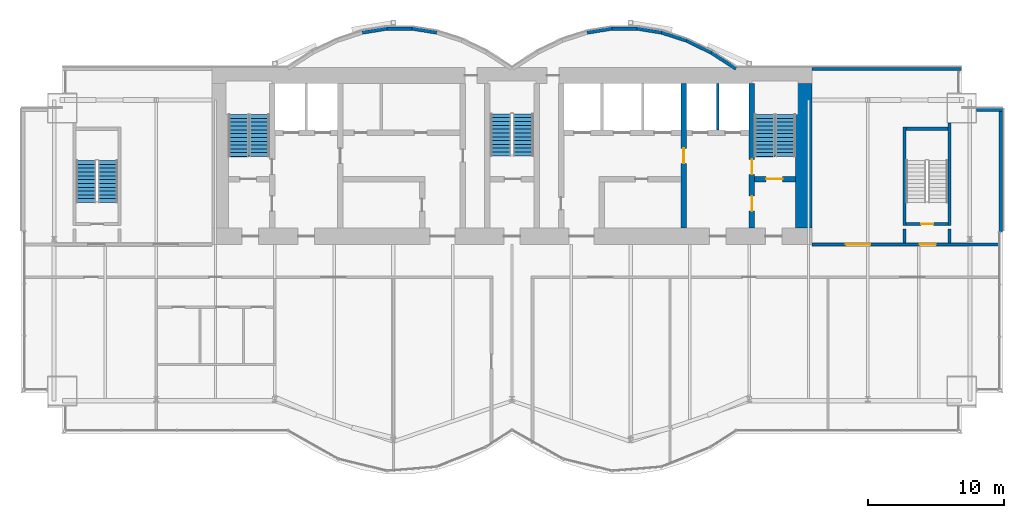
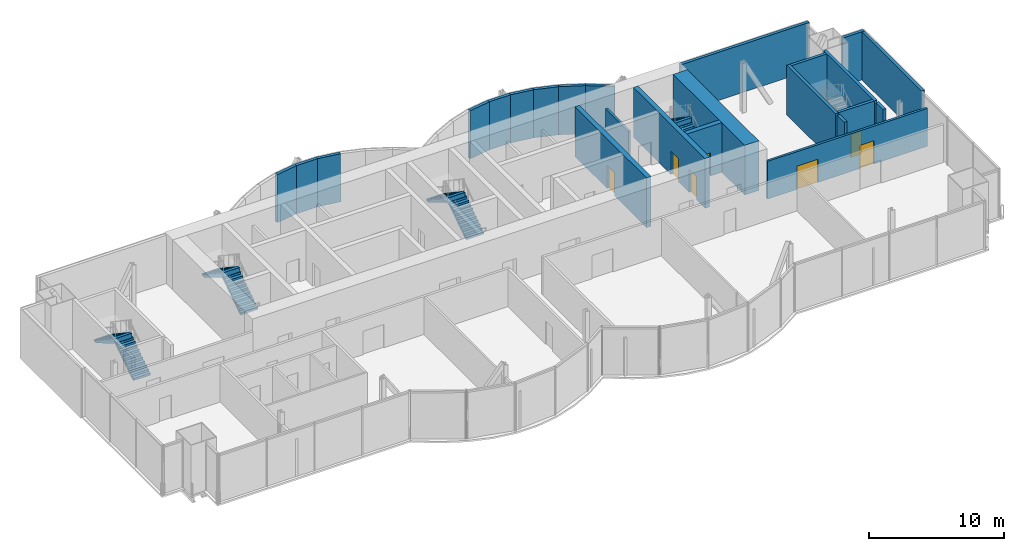
# One storey, part 14 of 18: 24 walls, 8 stair flights, 7 doors, 7 openings, 4 elements without a shape of their own.
"""IFC4 building model written with IfcOpenShell, lengths in metres."""

import ifcopenshell
import ifcopenshell.guid

model = None  # the IFC model being written
_history = None  # IfcOwnerHistory: only IFC2X3 demands one
_inside = {}  # id of a spatial element -> (the spatial element, [elements in it])
_under = {}  # id of a project, library or spatial element -> (it, [spatial elements below it])
_declared = {}  # id of a project -> (the project, [libraries it declares])
_typed = {}  # id of a type object -> (the type object, [elements of that type])
_made_of = {}  # id of a material, layer set ... -> (it, [elements and type objects made of it])


def new_model(schema):
    """Start an empty IFC model of exactly this schema.

    Asked for "IFC4X3", IfcOpenShell would pick the latest addendum, in which some entities
    have other attributes; the version numbers below select the first issue.
    IFC2X3 requires an IfcOwnerHistory on every rooted entity: one is made here for all.
    """
    global model, _history
    if schema == "IFC4X3":
        model = ifcopenshell.file(schema_version=(4, 3, 0, 0))
    else:
        model = ifcopenshell.file(schema=schema)
    _inside.clear()
    _under.clear()
    _declared.clear()
    _typed.clear()
    _made_of.clear()
    _history = None
    if model.schema == "IFC2X3":
        org = make("IfcOrganization", Name="unknown")
        user = make(
            "IfcPersonAndOrganization",
            ThePerson=make("IfcPerson", FamilyName="unknown"),
            TheOrganization=org,
        )
        app = make(
            "IfcApplication",
            ApplicationDeveloper=org,
            Version="unknown",
            ApplicationFullName="unknown",
            ApplicationIdentifier="unknown",
        )
        _history = make(
            "IfcOwnerHistory",
            OwningUser=user,
            OwningApplication=app,
            ChangeAction="ADDED",
            CreationDate=0,
        )
    return model


def make(cls, **values):
    """One entity of the class cls with the attributes given. An attribute that is None is left unset."""
    return model.create_entity(
        cls, **{name: value for name, value in values.items() if value is not None}
    )


def rooted(cls, **values):
    """An entity with a GlobalId (a new one), such as an element, a storey or a relation."""
    return make(cls, GlobalId=ifcopenshell.guid.new(), OwnerHistory=_history, **values)


def si_unit(unit_type, name, prefix=None):
    """IfcSIUnit, for example si_unit("LENGTHUNIT", "METRE", prefix="MILLI")."""
    return make("IfcSIUnit", UnitType=unit_type, Prefix=prefix, Name=name)


def assignment(units):
    """IfcUnitAssignment: the units of a project."""
    return None if units is None else make("IfcUnitAssignment", Units=units)


def point(xyz):
    """IfcCartesianPoint."""
    return None if xyz is None else make("IfcCartesianPoint", Coordinates=xyz)


def direction(xyz):
    """IfcDirection."""
    return None if xyz is None else make("IfcDirection", DirectionRatios=xyz)


def frame(location, z_axis=None, x_axis=None):
    """IfcAxis2Placement3D, a coordinate frame: its origin and axes. An axis left out is left unset."""
    return make(
        "IfcAxis2Placement3D",
        Location=point(location),
        Axis=direction(z_axis),
        RefDirection=direction(x_axis),
    )


def frame_2d(location, x_axis=None):
    """IfcAxis2Placement2D, a coordinate frame in the plane: its origin and x axis."""
    return make(
        "IfcAxis2Placement2D", Location=point(location), RefDirection=direction(x_axis)
    )


def origin():
    """The frame at (0, 0, 0) with its axes left unset."""
    return frame((0.0, 0.0, 0.0))


def place(relative_to, where):
    """IfcLocalPlacement: puts the frame where relative to a parent placement (None: the world)."""
    return make(
        "IfcLocalPlacement", PlacementRelTo=relative_to, RelativePlacement=where
    )


def context(
    kind, dimensions, precision=None, world=None, true_north=None, identifier=None
):
    """IfcGeometricRepresentationContext, for example the 3D "Model" context."""
    return make(
        "IfcGeometricRepresentationContext",
        ContextIdentifier=identifier,
        ContextType=kind,
        CoordinateSpaceDimension=dimensions,
        Precision=precision,
        WorldCoordinateSystem=world,
        TrueNorth=true_north,
    )


def subcontext(parent, identifier, kind, view, scale=None):
    """IfcGeometricRepresentationSubContext, for example "Body" below "Model"."""
    return make(
        "IfcGeometricRepresentationSubContext",
        ContextIdentifier=identifier,
        ContextType=kind,
        ParentContext=parent,
        TargetScale=scale,
        TargetView=view,
    )


def project(units=None, contexts=None):
    """IfcProject with its units and contexts."""
    return rooted(
        "IfcProject",
        Name="project",
        RepresentationContexts=contexts,
        UnitsInContext=assignment(units),
    )


def spatial(cls, under=None, at=None, **own):
    """A site, building, storey or space (cls), placed at a placement, below another one or the project."""
    s = rooted(cls, ObjectPlacement=at, **own)
    if under is not None:
        _under.setdefault(under.id(), (under, []))[1].append(s)
    return s


def polyline(points):
    """IfcPolyline through the points."""
    return make("IfcPolyline", Points=[point(p) for p in points])


def profile(cls, at=None, kind="AREA", **sizes):
    """A parametric profile (cls). Its sizes go by their IFC names, for example OverallWidth=200.0."""
    return make(cls, ProfileType=kind, Position=at, **sizes)


def rectangle(**sizes):
    """IfcRectangleProfileDef."""
    return profile("IfcRectangleProfileDef", **sizes)


def outline(outer, holes=None, kind="AREA"):
    """IfcArbitraryClosedProfileDef: a profile drawn as a closed curve; with holes, ...WithVoids."""
    if holes is None:
        return make("IfcArbitraryClosedProfileDef", ProfileType=kind, OuterCurve=outer)
    return make(
        "IfcArbitraryProfileDefWithVoids",
        ProfileType=kind,
        OuterCurve=outer,
        InnerCurves=holes,
    )


def extrude(swept, where, along, depth):
    """IfcExtrudedAreaSolid: the profile swept, set in the frame where, extruded along a direction by depth."""
    return make(
        "IfcExtrudedAreaSolid",
        SweptArea=swept,
        Position=where,
        ExtrudedDirection=direction(along),
        Depth=depth,
    )


def shape(context_of_items, identifier, shape_type, items):
    """IfcShapeRepresentation: the items that make up one representation, for example the "Body"."""
    return make(
        "IfcShapeRepresentation",
        ContextOfItems=context_of_items,
        RepresentationIdentifier=identifier,
        RepresentationType=shape_type,
        Items=items,
    )


def material(Name=None, Category=None):
    """IfcMaterial."""
    return make("IfcMaterial", Name=Name, Category=Category)


def layer(
    of_material, thickness, ventilated=None, Name=None, Category=None, Priority=None
):
    """IfcMaterialLayer: one layer of a wall or slab, of a material (None: an air gap)."""
    return make(
        "IfcMaterialLayer",
        Material=of_material,
        LayerThickness=thickness,
        IsVentilated=ventilated,
        Name=Name,
        Category=Category,
        Priority=Priority,
    )


def layer_set(layers, Name=None):
    """IfcMaterialLayerSet."""
    return make("IfcMaterialLayerSet", MaterialLayers=layers, LayerSetName=Name)


def layer_usage(for_layer_set, set_direction, sense, offset, extent=None):
    """IfcMaterialLayerSetUsage: how a layer set lies in its element."""
    return make(
        "IfcMaterialLayerSetUsage",
        ForLayerSet=for_layer_set,
        LayerSetDirection=set_direction,
        DirectionSense=sense,
        OffsetFromReferenceLine=offset,
        ReferenceExtent=extent,
    )


def made_of(thing, what):
    """Note that an element or type object is made of a material, layer set ...; save() writes the relation."""
    if what is not None:
        _made_of.setdefault(what.id(), (what, []))[1].append(thing)
    return thing


def type_object(cls, material=None, **own):
    """A type object (cls), such as IfcWallType, which elements share."""
    return made_of(rooted(cls, **own), material)


def element(
    cls,
    number,
    at=None,
    inside=None,
    cuts=None,
    type_object=None,
    material=None,
    context=None,
    identifier="Body",
    shape_type=None,
    held_by="IfcProductDefinitionShape",
    body=None,
    shapes=None,
    **own,
):
    """One element of the class cls, such as IfcWall. Its Tag is "e" and its number.

    at: its placement. inside: the storey or other place that contains it. cuts: it is an
    opening in that element (IfcRelVoidsElement). A single representation is given by context,
    identifier, shape_type and body (its items); several are given by shapes. held_by: the class
    of the entity that holds the representations. save() writes the other relations.
    """
    e = rooted(cls, Tag="e%d" % number, ObjectPlacement=at, **own)
    if body is not None:
        shapes = [shape(context, identifier, shape_type, body)]
    if shapes is not None:
        e.Representation = make(held_by, Representations=shapes)
    if inside is not None:
        _inside.setdefault(inside.id(), (inside, []))[1].append(e)
    if cuts is not None:
        rooted(
            "IfcRelVoidsElement", RelatingBuildingElement=cuts, RelatedOpeningElement=e
        )
    if type_object is not None:
        _typed.setdefault(type_object.id(), (type_object, []))[1].append(e)
    return made_of(e, material)


def fill(opening, filler):
    """IfcRelFillsElement: the door or window that sits in an opening."""
    return rooted(
        "IfcRelFillsElement",
        RelatingOpeningElement=opening,
        RelatedBuildingElement=filler,
    )


def aggregate(whole, parts):
    """IfcRelAggregates: a whole, such as a stair, and the parts it consists of."""
    return rooted("IfcRelAggregates", RelatingObject=whole, RelatedObjects=parts)


def save(model, path):
    """Write the relations noted so far, then the file.

    IfcRelAggregates (storeys below a building ...), IfcRelContainedInSpatialStructure (elements
    in a storey), IfcRelDefinesByType, IfcRelAssociatesMaterial and IfcRelDeclares: one each for
    every whole, place, type object, material and project.
    """
    for whole, parts in _under.values():
        aggregate(whole, parts)
    for where, things in _inside.values():
        rooted(
            "IfcRelContainedInSpatialStructure",
            RelatedElements=things,
            RelatingStructure=where,
        )
    for kind, things in _typed.values():
        rooted("IfcRelDefinesByType", RelatedObjects=things, RelatingType=kind)
    for what, things in _made_of.values():
        rooted("IfcRelAssociatesMaterial", RelatedObjects=things, RelatingMaterial=what)
    for by, libraries in _declared.values():
        rooted("IfcRelDeclares", RelatingContext=by, RelatedDefinitions=libraries)
    model.write(path)


model = new_model("IFC4")

# Units and contexts
model_context = context("Model", 3, precision=1e-05, world=origin(), true_north=direction((0.0, 1.0)))
body_context = subcontext(model_context, "Body", "Model", "MODEL_VIEW")
ifc_project = project(units=[si_unit("LENGTHUNIT", "METRE"), si_unit("AREAUNIT", "SQUARE_METRE"), si_unit("VOLUMEUNIT", "CUBIC_METRE"), si_unit("PLANEANGLEUNIT", "RADIAN"), si_unit("MASSUNIT", "GRAM", prefix="KILO")], contexts=[model_context])

# Site, building, storey
site_placement = place(None, origin())
site = spatial("IfcSite", under=ifc_project, at=site_placement, CompositionType="ELEMENT")
building_placement = place(site_placement, origin())
building = spatial("IfcBuilding", under=site, at=building_placement, Name="Bicima Exchange Tower", CompositionType="ELEMENT")
storey_placement = place(building_placement, frame((0.0, 0.0, 302.0)))
storey = spatial("IfcBuildingStorey", under=building, at=storey_placement, Name="L68", CompositionType="ELEMENT", Elevation=302.0)

# Wall
ifc_material_1 = material(Name="Gypsum board partition")
ifc_layer_1 = layer(ifc_material_1, 0.199951171875)
ifc_layer_set_1 = layer_set([ifc_layer_1], Name="Gypsum board partition")
wall_type_1 = type_object("IfcWallType", Name="Fire-rated gypsum partition 200 EI120", PredefinedType="PARTITIONING", material=ifc_layer_set_1)
wall_1_placement = place(storey_placement, frame((15.10009765625, -4.60009765625, 0.0), z_axis=(0.0, 0.0, 1.0), x_axis=(0.0, 1.0, 0.0)))
element("IfcWall", 1, at=wall_1_placement, inside=storey, type_object=wall_type_1, Name="partition wall 21", PredefinedType="PARTITIONING", context=body_context, shape_type="SweptSolid", body=[
    extrude(rectangle(XDim=3.400146484375, YDim=0.199951171875, at=frame_2d((1.7001953125, 0.0))), origin(), (0.0, 0.0, 1.0), 3.418212890625),
])

# Wall, openings, doors
ifc_layer_2 = layer(ifc_material_1, 0.199951171875)
ifc_layer_set_2 = layer_set([ifc_layer_2], Name="Gypsum board partition")
wall_type_2 = type_object("IfcWallType", Name="Fire-rated gypsum partition 200 EI60", PredefinedType="PARTITIONING", material=ifc_layer_set_2)
wall_2_placement = place(storey_placement, frame((22.0, -13.0, 0.0), z_axis=(0.0, 0.0, 1.0), x_axis=(1.0, 0.0, 0.0)))
wall_2 = element("IfcWall", 2, at=wall_2_placement, inside=storey, type_object=wall_type_2, Name="partition wall 6", PredefinedType="PARTITIONING", context=body_context, shape_type="SweptSolid", body=[
    extrude(rectangle(XDim=13.679931640625, YDim=0.199951171875, at=frame_2d((6.83984375, 0.0))), origin(), (0.0, 0.0, 1.0), 3.418212890625),
])
opening_1_placement = place(wall_2_placement, frame((7.89990234375, 0.0, 0.0)))
opening_1 = element("IfcOpeningElement", 3, at=opening_1_placement, cuts=wall_2, Name="Opening L68-003", PredefinedType="OPENING", context=body_context, shape_type="SweptSolid", body=[
    extrude(rectangle(XDim=1.199951171875, YDim=2.10009765625, at=frame_2d((0.60009765625, 1.050048828125))), frame((0.0, 0.11181640625, 0.0), z_axis=(0.0, -1.0, 0.0), x_axis=(1.0, 0.0, 0.0)), (0.0, 0.0, 1.0), 0.223876953125),
])
opening_2_placement = place(wall_2_placement, frame((2.5, 0.0, 0.0)))
opening_2 = element("IfcOpeningElement", 4, at=opening_2_placement, cuts=wall_2, Name="Opening L68-006", PredefinedType="OPENING", context=body_context, shape_type="SweptSolid", body=[
    extrude(rectangle(XDim=1.800048828125, YDim=2.10009765625, at=frame_2d((0.89990234375, 1.050048828125))), frame((0.0, 0.11181640625, 0.0), z_axis=(0.0, -1.0, 0.0), x_axis=(1.0, 0.0, 0.0)), (0.0, 0.0, 1.0), 0.223876953125),
])
ifc_material_2 = material(Name="Steel fire door leaf", Category="steel")
door_type_1 = type_object("IfcDoorType", Name="Door 1200 swing FD30S", OperationType="SINGLE_SWING_LEFT", PredefinedType="DOOR", material=ifc_material_2)
door_1_placement = place(opening_1_placement, origin())
door_1 = element("IfcDoor", 5, at=door_1_placement, inside=storey, type_object=door_type_1, Name="Door", OperationType="SINGLE_SWING_RIGHT", OverallHeight=2.10009765625, OverallWidth=1.199951171875, PredefinedType="DOOR", context=body_context, shape_type="SweptSolid", body=[
    extrude(rectangle(XDim=1.199951171875, YDim=2.10009765625, at=frame_2d((0.60009765625, 1.050048828125))), frame((0.0, 0.02490234375, 0.0), z_axis=(0.0, -1.0, 0.0), x_axis=(1.0, 0.0, 0.0)), (0.0, 0.0, 1.0), 0.050048828125),
])
fill(opening_1, door_1)
door_type_2 = type_object("IfcDoorType", Name="Door 1800 double swing FD30S", OperationType="DOUBLE_DOOR_SINGLE_SWING", PredefinedType="DOOR", material=ifc_material_2)
door_2_placement = place(opening_2_placement, origin())
door_2 = element("IfcDoor", 6, at=door_2_placement, inside=storey, type_object=door_type_2, Name="Door", OperationType="SINGLE_SWING_LEFT", OverallHeight=2.10009765625, OverallWidth=1.800048828125, PredefinedType="DOOR", context=body_context, shape_type="SweptSolid", body=[
    extrude(rectangle(XDim=1.800048828125, YDim=2.10009765625, at=frame_2d((0.89990234375, 1.050048828125))), frame((0.0, 0.02490234375, 0.0), z_axis=(0.0, -1.0, 0.0), x_axis=(1.0, 0.0, 0.0)), (0.0, 0.0, 1.0), 0.050048828125),
])
fill(opening_2, door_2)

# Walls
ifc_material_3 = material(Name="Concrete C40/50", Category="concrete")
ifc_layer_3 = layer(ifc_material_3, 1.199951171875)
ifc_layer_set_3 = layer_set([ifc_layer_3], Name="Concrete C40/50")
wall_type_3 = type_object("IfcWallType", Name="RC core wall 1200 C40/50", PredefinedType="SHEAR", material=ifc_layer_set_3)
wall_3_placement = place(storey_placement, frame((21.39990234375, -11.800048828125, 0.0), z_axis=(0.0, 0.0, 1.0), x_axis=(0.0, 1.0, 0.0)))
element("IfcWall", 7, at=wall_3_placement, inside=storey, type_object=wall_type_3, Name="Core wall east", PredefinedType="SHEAR", context=body_context, shape_type="SweptSolid", body=[
    extrude(rectangle(XDim=10.60009765625, YDim=1.199951171875, at=frame_2d((5.300048828125, 0.0))), origin(), (0.0, 0.0, 1.0), 4.5),
])
ifc_material_4 = material(Name="Concrete C50/60", Category="concrete")
ifc_layer_4 = layer(ifc_material_4, 0.25)
ifc_layer_set_4 = layer_set([ifc_layer_4], Name="Concrete C50/60")
wall_type_4 = type_object("IfcWallType", Name="RC core wall 250 C50/60", PredefinedType="SHEAR", material=ifc_layer_set_4)
for number, where, z_axis, x_axis, name in (
    (8, (28.800048828125, -12.89990234375, 0.0), (0.0, 0.0, 1.0), (0.0, 1.0, 0.0), "stair wall 24"),
    (9, (32.10009765625, -12.89990234375, 0.0), (0.0, 0.0, 1.0), (0.0, 1.0, 0.0), "stair wall 25"),
):
    element("IfcWall", number, at=place(storey_placement, frame(where, z_axis=z_axis, x_axis=x_axis)), inside=storey, type_object=wall_type_4, Name=name, PredefinedType="SHEAR", context=body_context, shape_type="SweptSolid", body=[
        extrude(rectangle(XDim=1.0498046875, YDim=0.25, at=frame_2d((0.52490234375, 0.0))), origin(), (0.0, 0.0, 1.0), 4.5),
    ])

# Wall, opening, door
ifc_layer_5 = layer(ifc_material_3, 0.39990234375)
ifc_layer_set_5 = layer_set([ifc_layer_5], Name="Concrete C40/50")
wall_type_5 = type_object("IfcWallType", Name="RC core wall 400 C40/50", PredefinedType="SHEAR", material=ifc_layer_set_5)
wall_4_placement = place(storey_placement, frame((12.60009765625, -11.800048828125, 0.0), z_axis=(0.0, 0.0, 1.0), x_axis=(0.0, 1.0, 0.0)))
wall_4 = element("IfcWall", 10, at=wall_4_placement, inside=storey, type_object=wall_type_5, Name="shear wall 20", PredefinedType="SHEAR", context=body_context, shape_type="SweptSolid", body=[
    extrude(rectangle(XDim=10.60009765625, YDim=0.39990234375, at=frame_2d((5.300048828125, 0.0))), origin(), (0.0, 0.0, 1.0), 4.5),
])
opening_3_placement = place(wall_4_placement, frame((4.75, 0.0, 0.0)))
opening_3 = element("IfcOpeningElement", 11, at=opening_3_placement, cuts=wall_4, Name="Opening L68-C09", PredefinedType="OPENING", context=body_context, shape_type="SweptSolid", body=[
    extrude(rectangle(XDim=1.10009765625, YDim=2.10009765625, at=frame_2d((0.550048828125, 1.050048828125))), frame((0.0, 0.2119140625, 0.0), z_axis=(0.0, -1.0, 0.0), x_axis=(1.0, 0.0, 0.0)), (0.0, 0.0, 1.0), 0.423828125),
])
door_type_3 = type_object("IfcDoorType", Name="Door 1100 swing FD60S", OperationType="SINGLE_SWING_LEFT", PredefinedType="DOOR", material=ifc_material_2)
door_3_placement = place(opening_3_placement, frame((1.10009765625, 0.0, 0.0), z_axis=(0.0, 0.0, 1.0), x_axis=(-1.0, 0.0, 0.0)))
door_3 = element("IfcDoor", 12, at=door_3_placement, inside=storey, type_object=door_type_3, Name="Core door", OperationType="SINGLE_SWING_RIGHT", OverallHeight=2.10009765625, OverallWidth=1.10009765625, PredefinedType="DOOR", context=body_context, shape_type="SweptSolid", body=[
    extrude(rectangle(XDim=1.10009765625, YDim=2.10009765625, at=frame_2d((0.550048828125, 1.050048828125))), frame((0.0, 0.02490234375, 0.0), z_axis=(0.0, -1.0, 0.0), x_axis=(1.0, 0.0, 0.0)), (0.0, 0.0, 1.0), 0.050048828125),
])
fill(opening_3, door_3)

ifc_layer_6 = layer(ifc_material_4, 0.39990234375)
ifc_layer_set_6 = layer_set([ifc_layer_6], Name="Concrete C50/60")
wall_type_6 = type_object("IfcWallType", Name="RC core wall 400 C50/60", PredefinedType="SHEAR", material=ifc_layer_set_6)
wall_5_placement = place(storey_placement, frame((17.800048828125, -8.199951171875, 0.0), z_axis=(0.0, 0.0, 1.0), x_axis=(1.0, 0.0, 0.0)))
wall_5 = element("IfcWall", 13, at=wall_5_placement, inside=storey, type_object=wall_type_6, Name="stair wall 5", PredefinedType="SHEAR", context=body_context, shape_type="SweptSolid", body=[
    extrude(rectangle(XDim=3.0, YDim=0.39990234375, at=frame_2d((1.5, 0.0))), origin(), (0.0, 0.0, 1.0), 4.5),
])
opening_4_placement = place(wall_5_placement, frame((0.85009765625, 0.0, 0.0)))
opening_4 = element("IfcOpeningElement", 14, at=opening_4_placement, cuts=wall_5, Name="Opening L68-C04", PredefinedType="OPENING", context=body_context, shape_type="SweptSolid", body=[
    extrude(rectangle(XDim=1.199951171875, YDim=2.10009765625, at=frame_2d((0.60009765625, 1.050048828125))), frame((0.0, 0.2119140625, 0.0), z_axis=(0.0, -1.0, 0.0), x_axis=(1.0, 0.0, 0.0)), (0.0, 0.0, 1.0), 0.423828125),
])
door_type_4 = type_object("IfcDoorType", Name="Door 1200 swing FD60S", OperationType="SINGLE_SWING_LEFT", PredefinedType="DOOR", material=ifc_material_2)
door_4_placement = place(opening_4_placement, origin())
door_4 = element("IfcDoor", 15, at=door_4_placement, inside=storey, type_object=door_type_4, Name="Core door", OperationType="SINGLE_SWING_RIGHT", OverallHeight=2.10009765625, OverallWidth=1.199951171875, PredefinedType="DOOR", context=body_context, shape_type="SweptSolid", body=[
    extrude(rectangle(XDim=1.199951171875, YDim=2.10009765625, at=frame_2d((0.60009765625, 1.050048828125))), frame((0.0, 0.02490234375, 0.0), z_axis=(0.0, -1.0, 0.0), x_axis=(1.0, 0.0, 0.0)), (0.0, 0.0, 1.0), 0.050048828125),
])
fill(opening_4, door_4)

# Wall, openings, doors
wall_6_placement = place(storey_placement, frame((17.60009765625, -11.800048828125, 0.0), z_axis=(0.0, 0.0, 1.0), x_axis=(0.0, 1.0, 0.0)))
wall_6 = element("IfcWall", 16, at=wall_6_placement, inside=storey, type_object=wall_type_6, Name="stair wall 22", PredefinedType="SHEAR", context=body_context, shape_type="SweptSolid", body=[
    extrude(rectangle(XDim=10.60009765625, YDim=0.39990234375, at=frame_2d((5.300048828125, 0.0))), origin(), (0.0, 0.0, 1.0), 4.5),
])
opening_5_placement = place(wall_6_placement, frame((1.25, 0.0, 0.0)))
opening_5 = element("IfcOpeningElement", 17, at=opening_5_placement, cuts=wall_6, Name="Opening L68-C05", PredefinedType="OPENING", context=body_context, shape_type="SweptSolid", body=[
    extrude(rectangle(XDim=1.10009765625, YDim=2.10009765625, at=frame_2d((0.550048828125, 1.050048828125))), frame((0.0, 0.2119140625, 0.0), z_axis=(0.0, -1.0, 0.0), x_axis=(1.0, 0.0, 0.0)), (0.0, 0.0, 1.0), 0.423828125),
])
opening_6_placement = place(wall_6_placement, frame((3.949951171875, 0.0, 0.0)))
opening_6 = element("IfcOpeningElement", 18, at=opening_6_placement, cuts=wall_6, Name="Opening L68-C08", PredefinedType="OPENING", context=body_context, shape_type="SweptSolid", body=[
    extrude(rectangle(XDim=1.10009765625, YDim=2.10009765625, at=frame_2d((0.550048828125, 1.050048828125))), frame((0.0, 0.2119140625, 0.0), z_axis=(0.0, -1.0, 0.0), x_axis=(1.0, 0.0, 0.0)), (0.0, 0.0, 1.0), 0.423828125),
])
door_5_placement = place(opening_5_placement, origin())
door_5 = element("IfcDoor", 19, at=door_5_placement, inside=storey, type_object=door_type_3, Name="Core door", OperationType="SINGLE_SWING_LEFT", OverallHeight=2.10009765625, OverallWidth=1.10009765625, PredefinedType="DOOR", context=body_context, shape_type="SweptSolid", body=[
    extrude(rectangle(XDim=1.10009765625, YDim=2.10009765625, at=frame_2d((0.550048828125, 1.050048828125))), frame((0.0, 0.02490234375, 0.0), z_axis=(0.0, -1.0, 0.0), x_axis=(1.0, 0.0, 0.0)), (0.0, 0.0, 1.0), 0.050048828125),
])
fill(opening_5, door_5)
door_6_placement = place(opening_6_placement, origin())
door_6 = element("IfcDoor", 20, at=door_6_placement, inside=storey, type_object=door_type_3, Name="Core door", OperationType="SINGLE_SWING_RIGHT", OverallHeight=2.10009765625, OverallWidth=1.10009765625, PredefinedType="DOOR", context=body_context, shape_type="SweptSolid", body=[
    extrude(rectangle(XDim=1.10009765625, YDim=2.10009765625, at=frame_2d((0.550048828125, 1.050048828125))), frame((0.0, 0.02490234375, 0.0), z_axis=(0.0, -1.0, 0.0), x_axis=(1.0, 0.0, 0.0)), (0.0, 0.0, 1.0), 0.050048828125),
])
fill(opening_6, door_6)

# Walls
ifc_layer_7 = layer(ifc_material_4, 0.25)
ifc_layer_set_7 = layer_set([ifc_layer_7], Name="Concrete C50/60")
wall_type_7 = type_object("IfcWallType", Name="RC stair enclosure wall 250 C50/60", PredefinedType="SHEAR", material=ifc_layer_set_7)
wall_7_placement = place(storey_placement, frame((28.800048828125, -11.625, 0.0), z_axis=(0.0, 0.0, 1.0), x_axis=(0.0, 1.0, 0.0)))
element("IfcWall", 21, at=wall_7_placement, inside=storey, type_object=wall_type_7, Name="East end exit stair wall W", PredefinedType="SHEAR", context=body_context, shape_type="SweptSolid", body=[
    extrude(rectangle(XDim=7.25, YDim=0.25, at=frame_2d((3.625, 0.0))), origin(), (0.0, 0.0, 1.0), 4.5),
])
wall_8_placement = place(storey_placement, frame((32.10009765625, -11.625, 0.0), z_axis=(0.0, 0.0, 1.0), x_axis=(0.0, 1.0, 0.0)))
element("IfcWall", 22, at=wall_8_placement, inside=storey, type_object=wall_type_7, Name="East end exit stair wall E", PredefinedType="SHEAR", context=body_context, shape_type="SweptSolid", body=[
    extrude(rectangle(XDim=7.52490234375, YDim=0.25, at=frame_2d((3.762451171875, 0.0))), origin(), (0.0, 0.0, 1.0), 4.5),
])

# Wall, opening, door
wall_9_placement = place(storey_placement, frame((28.925048828125, -11.5, 0.0), z_axis=(0.0, 0.0, 1.0), x_axis=(1.0, 0.0, 0.0)))
wall_9 = element("IfcWall", 23, at=wall_9_placement, inside=storey, type_object=wall_type_7, Name="East end exit stair wall S", PredefinedType="SHEAR", context=body_context, shape_type="SweptSolid", body=[
    extrude(rectangle(XDim=3.050048828125, YDim=0.25, at=frame_2d((1.52490234375, 0.0))), origin(), (0.0, 0.0, 1.0), 4.5),
])
opening_7_placement = place(wall_9_placement, frame((1.10009765625, 0.0, 0.0)))
opening_7 = element("IfcOpeningElement", 24, at=opening_7_placement, cuts=wall_9, Name="Opening L68-004", PredefinedType="OPENING", context=body_context, shape_type="SweptSolid", body=[
    extrude(rectangle(XDim=0.89990234375, YDim=2.10009765625, at=frame_2d((0.449951171875, 1.050048828125))), frame((0.0, 0.136962890625, 0.0), z_axis=(0.0, -1.0, 0.0), x_axis=(1.0, 0.0, 0.0)), (0.0, 0.0, 1.0), 0.27392578125),
])
door_type_5 = type_object("IfcDoorType", Name="Door 900 swing FD60S", OperationType="SINGLE_SWING_LEFT", PredefinedType="DOOR", material=ifc_material_2)
door_7_placement = place(opening_7_placement, origin())
door_7 = element("IfcDoor", 25, at=door_7_placement, inside=storey, type_object=door_type_5, Name="Door", OperationType="SINGLE_SWING_LEFT", OverallHeight=2.10009765625, OverallWidth=0.89990234375, PredefinedType="DOOR", context=body_context, shape_type="SweptSolid", body=[
    extrude(rectangle(XDim=0.89990234375, YDim=2.10009765625, at=frame_2d((0.449951171875, 1.050048828125))), frame((0.0, 0.02490234375, 0.0), z_axis=(0.0, -1.0, 0.0), x_axis=(1.0, 0.0, 0.0)), (0.0, 0.0, 1.0), 0.050048828125),
])
fill(opening_7, door_7)

# Walls
wall_10_placement = place(storey_placement, frame((28.925048828125, -4.5, 0.0), z_axis=(0.0, 0.0, 1.0), x_axis=(1.0, 0.0, 0.0)))
element("IfcWall", 26, at=wall_10_placement, inside=storey, type_object=wall_type_7, Name="East end exit stair wall N", PredefinedType="SHEAR", context=body_context, shape_type="SweptSolid", body=[
    extrude(rectangle(XDim=3.050048828125, YDim=0.25, at=frame_2d((1.52490234375, 0.0))), origin(), (0.0, 0.0, 1.0), 4.5),
])
ifc_layer_8 = layer(ifc_material_3, 0.25)
ifc_layer_set_8 = layer_set([ifc_layer_8], Name="Concrete C40/50")
ifc_layer_usage = layer_usage(ifc_layer_set_8, "AXIS2", "POSITIVE", -0.125)
wall_type_8 = type_object("IfcWallType", Name="Rear backup wall 250", PredefinedType="STANDARD", material=ifc_layer_set_8)
wall_11_placement = place(storey_placement, frame((33.0, -0.125, 0.0), z_axis=(0.0, 0.0, 1.0), x_axis=(-1.0, 0.0, 0.0)))
element("IfcWall", 27, at=wall_11_placement, inside=storey, type_object=wall_type_8, material=ifc_layer_usage, Name="Rear backup wall L68 1", PredefinedType="STANDARD", context=body_context, shape_type="SweptSolid", body=[
    extrude(rectangle(XDim=11.0, YDim=0.25, at=frame_2d((5.5, 0.0))), origin(), (0.0, 0.0, 1.0), 4.35009765625),
])
wall_12_placement = place(storey_placement, frame((16.43212890625, -0.10498046875, 0.0), z_axis=(0.0, 0.0, 1.0), x_axis=(-0.83981312244, 0.542875602121, 0.0)))
element("IfcWall", 28, at=wall_12_placement, inside=storey, type_object=wall_type_8, material=ifc_layer_usage, Name="Rear backup wall L68 2", PredefinedType="STANDARD", context=body_context, shape_type="SweptSolid", body=[
    extrude(rectangle(XDim=2.182861328125, YDim=0.25, at=frame_2d((1.09130859375, 0.0))), origin(), (0.0, 0.0, 1.0), 4.35009765625),
])
wall_13_placement = place(storey_placement, frame((14.6123046875, 1.07275390625, 0.0), z_axis=(0.0, 0.0, 1.0), x_axis=(-0.89982408427, 0.436252928206, 0.0)))
element("IfcWall", 29, at=wall_13_placement, inside=storey, type_object=wall_type_8, material=ifc_layer_usage, Name="Rear backup wall L68 3", PredefinedType="STANDARD", context=body_context, shape_type="SweptSolid", body=[
    extrude(rectangle(XDim=2.03759765625, YDim=0.25, at=frame_2d((1.018798828125, 0.0))), origin(), (0.0, 0.0, 1.0), 4.35009765625),
])
wall_14_placement = place(storey_placement, frame((12.794921875, 1.955078125, 0.0), z_axis=(0.0, 0.0, 1.0), x_axis=(-0.951495806175, 0.307661714928, 0.0)))
element("IfcWall", 30, at=wall_14_placement, inside=storey, type_object=wall_type_8, material=ifc_layer_usage, Name="Rear backup wall L68 4", PredefinedType="STANDARD", context=body_context, shape_type="SweptSolid", body=[
    extrude(rectangle(XDim=1.9267578125, YDim=0.25, at=frame_2d((0.96337890625, 0.0))), origin(), (0.0, 0.0, 1.0), 4.35009765625),
])
wall_15_placement = place(storey_placement, frame((10.97998046875, 2.543212890625, 0.0), z_axis=(0.0, 0.0, 1.0), x_axis=(-0.987181718931, 0.159600293885, 0.0)))
element("IfcWall", 31, at=wall_15_placement, inside=storey, type_object=wall_type_8, material=ifc_layer_usage, Name="Rear backup wall L68 5", PredefinedType="STANDARD", context=body_context, shape_type="SweptSolid", body=[
    extrude(rectangle(XDim=1.857177734375, YDim=0.25, at=frame_2d((0.9287109375, 0.0))), origin(), (0.0, 0.0, 1.0), 4.35009765625),
])
wall_16_placement = place(storey_placement, frame((9.166748046875, 2.837890625, 0.0), z_axis=(0.0, 0.0, 1.0), x_axis=(-1.0, 0.0, 0.0)))
element("IfcWall", 32, at=wall_16_placement, inside=storey, type_object=wall_type_8, material=ifc_layer_usage, Name="Rear backup wall L68 6", PredefinedType="STANDARD", context=body_context, shape_type="SweptSolid", body=[
    extrude(rectangle(XDim=1.83349609375, YDim=0.25, at=frame_2d((0.916748046875, 0.0))), origin(), (0.0, 0.0, 1.0), 4.35009765625),
])
for number, where, z_axis, x_axis, name in (
    (33, (7.353271484375, 2.839599609375, 0.0), (0.0, 0.0, 1.0), (-0.987181718931, -0.159600293885, 0.0), "Rear backup wall L68 7"),
    (34, (-5.52001953125, 2.543212890625, 0.0), (0.0, 0.0, 1.0), (-0.987181718931, 0.159600293885, 0.0), "Rear backup wall L68 14"),
):
    element("IfcWall", number, at=place(storey_placement, frame(where, z_axis=z_axis, x_axis=x_axis)), inside=storey, type_object=wall_type_8, material=ifc_layer_usage, Name=name, PredefinedType="STANDARD", context=body_context, shape_type="SweptSolid", body=[
        extrude(rectangle(XDim=1.857177734375, YDim=0.25, at=frame_2d((0.9287109375, 0.0))), origin(), (0.0, 0.0, 1.0), 4.35009765625),
    ])
wall_17_placement = place(storey_placement, frame((-7.333251953125, 2.837890625, 0.0), z_axis=(0.0, 0.0, 1.0), x_axis=(-1.0, 0.0, 0.0)))
element("IfcWall", 35, at=wall_17_placement, inside=storey, type_object=wall_type_8, material=ifc_layer_usage, Name="Rear backup wall L68 15", PredefinedType="STANDARD", context=body_context, shape_type="SweptSolid", body=[
    extrude(rectangle(XDim=1.83349609375, YDim=0.25, at=frame_2d((0.916748046875, 0.0))), origin(), (0.0, 0.0, 1.0), 4.35009765625),
])
wall_18_placement = place(storey_placement, frame((-9.146728515625, 2.839599609375, 0.0), z_axis=(0.0, 0.0, 1.0), x_axis=(-0.987181718931, -0.159600293885, 0.0)))
element("IfcWall", 36, at=wall_18_placement, inside=storey, type_object=wall_type_8, material=ifc_layer_usage, Name="Rear backup wall L68 16", PredefinedType="STANDARD", context=body_context, shape_type="SweptSolid", body=[
    extrude(rectangle(XDim=1.857177734375, YDim=0.25, at=frame_2d((0.9287109375, 0.0))), origin(), (0.0, 0.0, 1.0), 4.35009765625),
])
wall_19_placement = place(storey_placement, frame((35.875, -12.090087890625, 0.0), z_axis=(0.0, 0.0, 1.0), x_axis=(0.0, 1.0, 0.0)))
element("IfcWall", 37, at=wall_19_placement, inside=storey, type_object=wall_type_8, material=ifc_layer_usage, Name="Rear backup wall L68 50", PredefinedType="STANDARD", context=body_context, shape_type="SweptSolid", body=[
    extrude(rectangle(XDim=9.090087890625, YDim=0.25, at=frame_2d((4.544921875, 0.0))), origin(), (0.0, 0.0, 1.0), 4.35009765625),
])
wall_20_placement = place(storey_placement, frame((36.0, -3.125, 0.0), z_axis=(0.0, 0.0, 1.0), x_axis=(-1.0, 0.0, 0.0)))
element("IfcWall", 38, at=wall_20_placement, inside=storey, type_object=wall_type_8, material=ifc_layer_usage, Name="Rear backup wall L68 51", PredefinedType="STANDARD", context=body_context, shape_type="SweptSolid", body=[
    extrude(rectangle(XDim=1.89990234375, YDim=0.25, at=frame_2d((0.949951171875, 0.0))), origin(), (0.0, 0.0, 1.0), 4.35009765625),
])

# Stair, stair flights
stair_type_1 = type_object("IfcStairType", Name="Exit stair", PredefinedType="HALF_TURN_STAIR", material=ifc_material_4)
stair_1_placement = place(storey_placement, origin())
stair_1 = element("IfcStair", 39, at=stair_1_placement, inside=storey, type_object=stair_type_1, Name="L68 West exit stair", PredefinedType="HALF_TURN_STAIR")
stair_flight_type_1 = type_object("IfcStairFlightType", Name="Stair flight RC", PredefinedType="STRAIGHT", material=ifc_material_4)
stair_flight_1_placement = place(storey_placement, frame((-18.52490234375, -6.550048828125, 0.0), z_axis=(0.0, 0.0, 1.0), x_axis=(0.0, 1.0, 0.0)))
stair_flight_1 = element("IfcStairFlight", 40, at=stair_flight_1_placement, type_object=stair_flight_type_1, Name="ST-W flight 1", NumberOfRisers=12, NumberOfTreads=11, PredefinedType="STRAIGHT", RiserHeight=0.1875, TreadLength=0.28, context=body_context, shape_type="SweptSolid", body=[
    extrude(outline(polyline([(0.0, 0.0), (0.0, 0.1875), (0.280029296875, 0.1875), (0.280029296875, 0.375), (0.56005859375, 0.375), (0.56005859375, 0.5625), (0.840087890625, 0.5625), (0.840087890625, 0.75), (1.1201171875, 0.75), (1.1201171875, 0.9375), (1.39990234375, 0.9375), (1.39990234375, 1.125), (1.679931640625, 1.125), (1.679931640625, 1.3125), (1.9599609375, 1.3125), (1.9599609375, 1.5), (2.239990234375, 1.5), (2.239990234375, 1.6875), (2.52001953125, 1.6875), (2.52001953125, 1.875), (2.800048828125, 1.875), (2.800048828125, 2.0625), (3.080078125, 2.0625), (3.080078125, 2.25), (3.080078125, 1.882080078125), (0.26953125, 0.0), (0.0, 0.0)])), frame((0.0, 0.72509765625, 0.0), z_axis=(0.0, -1.0, 0.0), x_axis=(1.0, 0.0, 0.0)), (0.0, 0.0, 1.0), 1.449951171875),
])
stair_flight_2_placement = place(storey_placement, frame((-20.074951171875, -3.469970703125, 2.25), z_axis=(0.0, 0.0, 1.0), x_axis=(0.0, -1.0, 0.0)))
stair_flight_2 = element("IfcStairFlight", 41, at=stair_flight_2_placement, type_object=stair_flight_type_1, Name="ST-W flight 2", NumberOfRisers=12, NumberOfTreads=11, PredefinedType="STRAIGHT", RiserHeight=0.1875, TreadLength=0.28, context=body_context, shape_type="SweptSolid", body=[
    extrude(outline(polyline([(0.0, 0.0), (0.0, 0.1875), (0.280029296875, 0.1875), (0.280029296875, 0.375), (0.56005859375, 0.375), (0.56005859375, 0.5625), (0.840087890625, 0.5625), (0.840087890625, 0.75), (1.1201171875, 0.75), (1.1201171875, 0.9375), (1.39990234375, 0.9375), (1.39990234375, 1.125), (1.679931640625, 1.125), (1.679931640625, 1.3125), (1.9599609375, 1.3125), (1.9599609375, 1.5), (2.239990234375, 1.5), (2.239990234375, 1.6875), (2.52001953125, 1.6875), (2.52001953125, 1.875), (2.800048828125, 1.875), (2.800048828125, 2.0625), (3.080078125, 2.0625), (3.080078125, 2.10400390625), (3.094970703125, 2.10400390625), (3.094970703125, 1.70458984375), (0.26953125, 0.0), (0.0, 0.0)])), frame((0.0, 0.72509765625, 0.0), z_axis=(0.0, -1.0, 0.0), x_axis=(1.0, 0.0, 0.0)), (0.0, 0.0, 1.0), 1.449951171875),
])
aggregate(stair_1, [stair_flight_1, stair_flight_2])

stair_2_placement = place(storey_placement, origin())
stair_2 = element("IfcStair", 42, at=stair_2_placement, inside=storey, type_object=stair_type_1, Name="L68 East exit stair", PredefinedType="HALF_TURN_STAIR")
stair_flight_3_placement = place(storey_placement, frame((20.074951171875, -6.550048828125, 0.0), z_axis=(0.0, 0.0, 1.0), x_axis=(0.0, 1.0, 0.0)))
stair_flight_3 = element("IfcStairFlight", 43, at=stair_flight_3_placement, type_object=stair_flight_type_1, Name="ST-E flight 1", NumberOfRisers=12, NumberOfTreads=11, PredefinedType="STRAIGHT", RiserHeight=0.1875, TreadLength=0.28, context=body_context, shape_type="SweptSolid", body=[
    extrude(outline(polyline([(0.0, 0.0), (0.0, 0.1875), (0.280029296875, 0.1875), (0.280029296875, 0.375), (0.56005859375, 0.375), (0.56005859375, 0.5625), (0.840087890625, 0.5625), (0.840087890625, 0.75), (1.1201171875, 0.75), (1.1201171875, 0.9375), (1.39990234375, 0.9375), (1.39990234375, 1.125), (1.679931640625, 1.125), (1.679931640625, 1.3125), (1.9599609375, 1.3125), (1.9599609375, 1.5), (2.239990234375, 1.5), (2.239990234375, 1.6875), (2.52001953125, 1.6875), (2.52001953125, 1.875), (2.800048828125, 1.875), (2.800048828125, 2.0625), (3.080078125, 2.0625), (3.080078125, 2.25), (3.080078125, 1.882080078125), (0.26953125, 0.0), (0.0, 0.0)])), frame((0.0, 0.72509765625, 0.0), z_axis=(0.0, -1.0, 0.0), x_axis=(1.0, 0.0, 0.0)), (0.0, 0.0, 1.0), 1.449951171875),
])
stair_flight_4_placement = place(storey_placement, frame((18.52490234375, -3.469970703125, 2.25), z_axis=(0.0, 0.0, 1.0), x_axis=(0.0, -1.0, 0.0)))
stair_flight_4 = element("IfcStairFlight", 44, at=stair_flight_4_placement, type_object=stair_flight_type_1, Name="ST-E flight 2", NumberOfRisers=12, NumberOfTreads=11, PredefinedType="STRAIGHT", RiserHeight=0.1875, TreadLength=0.28, context=body_context, shape_type="SweptSolid", body=[
    extrude(outline(polyline([(0.0, 0.0), (0.0, 0.1875), (0.280029296875, 0.1875), (0.280029296875, 0.375), (0.56005859375, 0.375), (0.56005859375, 0.5625), (0.840087890625, 0.5625), (0.840087890625, 0.75), (1.1201171875, 0.75), (1.1201171875, 0.9375), (1.39990234375, 0.9375), (1.39990234375, 1.125), (1.679931640625, 1.125), (1.679931640625, 1.3125), (1.9599609375, 1.3125), (1.9599609375, 1.5), (2.239990234375, 1.5), (2.239990234375, 1.6875), (2.52001953125, 1.6875), (2.52001953125, 1.875), (2.800048828125, 1.875), (2.800048828125, 2.0625), (3.080078125, 2.0625), (3.080078125, 2.10400390625), (3.094970703125, 2.10400390625), (3.094970703125, 1.70458984375), (0.26953125, 0.0), (0.0, 0.0)])), frame((0.0, 0.72509765625, 0.0), z_axis=(0.0, -1.0, 0.0), x_axis=(1.0, 0.0, 0.0)), (0.0, 0.0, 1.0), 1.449951171875),
])
aggregate(stair_2, [stair_flight_3, stair_flight_4])

stair_3_placement = place(storey_placement, origin())
stair_3 = element("IfcStair", 45, at=stair_3_placement, inside=storey, type_object=stair_type_1, Name="L68 West end exit stair", PredefinedType="HALF_TURN_STAIR")
stair_flight_5_placement = place(storey_placement, frame((-29.64990234375, -9.925048828125, 0.0), z_axis=(0.0, 0.0, 1.0), x_axis=(0.0, 1.0, 0.0)))
stair_flight_5 = element("IfcStairFlight", 46, at=stair_flight_5_placement, type_object=stair_flight_type_1, Name="ST-WW flight 1", NumberOfRisers=12, NumberOfTreads=11, PredefinedType="STRAIGHT", RiserHeight=0.1875, TreadLength=0.28, context=body_context, shape_type="SweptSolid", body=[
    extrude(outline(polyline([(0.0, 0.0), (0.0, 0.1875), (0.280029296875, 0.1875), (0.280029296875, 0.375), (0.56005859375, 0.375), (0.56005859375, 0.5625), (0.840087890625, 0.5625), (0.840087890625, 0.75), (1.1201171875, 0.75), (1.1201171875, 0.9375), (1.39990234375, 0.9375), (1.39990234375, 1.125), (1.679931640625, 1.125), (1.679931640625, 1.3125), (1.9599609375, 1.3125), (1.9599609375, 1.5), (2.239990234375, 1.5), (2.239990234375, 1.6875), (2.52001953125, 1.6875), (2.52001953125, 1.875), (2.800048828125, 1.875), (2.800048828125, 2.0625), (3.080078125, 2.0625), (3.080078125, 2.25), (3.080078125, 1.882080078125), (0.26953125, 0.0), (0.0, 0.0)])), frame((0.0, 0.72509765625, 0.0), z_axis=(0.0, -1.0, 0.0), x_axis=(1.0, 0.0, 0.0)), (0.0, 0.0, 1.0), 1.449951171875),
])
stair_flight_6_placement = place(storey_placement, frame((-31.25, -6.844970703125, 2.25), z_axis=(0.0, 0.0, 1.0), x_axis=(0.0, -1.0, 0.0)))
stair_flight_6 = element("IfcStairFlight", 47, at=stair_flight_6_placement, type_object=stair_flight_type_1, Name="ST-WW flight 2", NumberOfRisers=12, NumberOfTreads=11, PredefinedType="STRAIGHT", RiserHeight=0.1875, TreadLength=0.28, context=body_context, shape_type="SweptSolid", body=[
    extrude(outline(polyline([(0.0, 0.0), (0.0, 0.1875), (0.280029296875, 0.1875), (0.280029296875, 0.375), (0.56005859375, 0.375), (0.56005859375, 0.5625), (0.840087890625, 0.5625), (0.840087890625, 0.75), (1.1201171875, 0.75), (1.1201171875, 0.9375), (1.39990234375, 0.9375), (1.39990234375, 1.125), (1.679931640625, 1.125), (1.679931640625, 1.3125), (1.9599609375, 1.3125), (1.9599609375, 1.5), (2.239990234375, 1.5), (2.239990234375, 1.6875), (2.52001953125, 1.6875), (2.52001953125, 1.875), (2.800048828125, 1.875), (2.800048828125, 2.0625), (3.080078125, 2.0625), (3.080078125, 2.10400390625), (3.094970703125, 2.10400390625), (3.094970703125, 1.70458984375), (0.26953125, 0.0), (0.0, 0.0)])), frame((0.0, 0.72509765625, 0.0), z_axis=(0.0, -1.0, 0.0), x_axis=(1.0, 0.0, 0.0)), (0.0, 0.0, 1.0), 1.449951171875),
])
aggregate(stair_3, [stair_flight_5, stair_flight_6])

stair_type_2 = type_object("IfcStairType", Name="Exit stair 1500", PredefinedType="HALF_TURN_STAIR", material=ifc_material_4)
stair_4_placement = place(storey_placement, origin())
stair_4 = element("IfcStair", 48, at=stair_4_placement, inside=storey, type_object=stair_type_2, Name="L68 Central exit stair", PredefinedType="HALF_TURN_STAIR")
stair_flight_type_2 = type_object("IfcStairFlightType", Name="Stair flight RC 1500", PredefinedType="STRAIGHT", material=ifc_material_4)
stair_flight_7_placement = place(storey_placement, frame((0.824951171875, -6.5, 0.0), z_axis=(0.0, 0.0, 1.0), x_axis=(0.0, 1.0, 0.0)))
stair_flight_7 = element("IfcStairFlight", 49, at=stair_flight_7_placement, type_object=stair_flight_type_2, Name="ST-C flight 1", NumberOfRisers=12, NumberOfTreads=11, PredefinedType="STRAIGHT", RiserHeight=0.1875, TreadLength=0.28, context=body_context, shape_type="SweptSolid", body=[
    extrude(outline(polyline([(0.0, 0.0), (0.0, 0.1875), (0.280029296875, 0.1875), (0.280029296875, 0.375), (0.56005859375, 0.375), (0.56005859375, 0.5625), (0.840087890625, 0.5625), (0.840087890625, 0.75), (1.1201171875, 0.75), (1.1201171875, 0.9375), (1.39990234375, 0.9375), (1.39990234375, 1.125), (1.679931640625, 1.125), (1.679931640625, 1.3125), (1.9599609375, 1.3125), (1.9599609375, 1.5), (2.239990234375, 1.5), (2.239990234375, 1.6875), (2.52001953125, 1.6875), (2.52001953125, 1.875), (2.800048828125, 1.875), (2.800048828125, 2.0625), (3.080078125, 2.0625), (3.080078125, 2.25), (3.080078125, 1.882080078125), (0.26953125, 0.0), (0.0, 0.0)])), frame((0.0, 0.75, 0.0), z_axis=(0.0, -1.0, 0.0), x_axis=(1.0, 0.0, 0.0)), (0.0, 0.0, 1.0), 1.5),
])
stair_flight_8_placement = place(storey_placement, frame((-0.824951171875, -3.419921875, 2.25), z_axis=(0.0, 0.0, 1.0), x_axis=(0.0, -1.0, 0.0)))
stair_flight_8 = element("IfcStairFlight", 50, at=stair_flight_8_placement, type_object=stair_flight_type_2, Name="ST-C flight 2", NumberOfRisers=12, NumberOfTreads=11, PredefinedType="STRAIGHT", RiserHeight=0.1875, TreadLength=0.28, context=body_context, shape_type="SweptSolid", body=[
    extrude(outline(polyline([(0.0, 0.0), (0.0, 0.1875), (0.280029296875, 0.1875), (0.280029296875, 0.375), (0.56005859375, 0.375), (0.56005859375, 0.5625), (0.840087890625, 0.5625), (0.840087890625, 0.75), (1.1201171875, 0.75), (1.1201171875, 0.9375), (1.39990234375, 0.9375), (1.39990234375, 1.125), (1.679931640625, 1.125), (1.679931640625, 1.3125), (1.9599609375, 1.3125), (1.9599609375, 1.5), (2.239990234375, 1.5), (2.239990234375, 1.6875), (2.52001953125, 1.6875), (2.52001953125, 1.875), (2.800048828125, 1.875), (2.800048828125, 2.0625), (3.080078125, 2.0625), (3.080078125, 2.10400390625), (3.094970703125, 2.10400390625), (3.094970703125, 1.70458984375), (0.26953125, 0.0), (0.0, 0.0)])), frame((0.0, 0.75, 0.0), z_axis=(0.0, -1.0, 0.0), x_axis=(1.0, 0.0, 0.0)), (0.0, 0.0, 1.0), 1.5),
])
aggregate(stair_4, [stair_flight_7, stair_flight_8])

save(model, "model.ifc")
